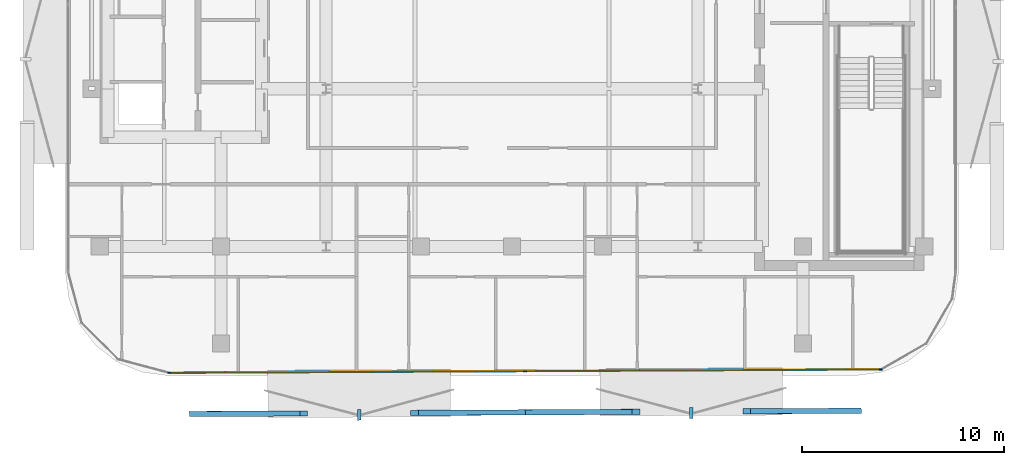
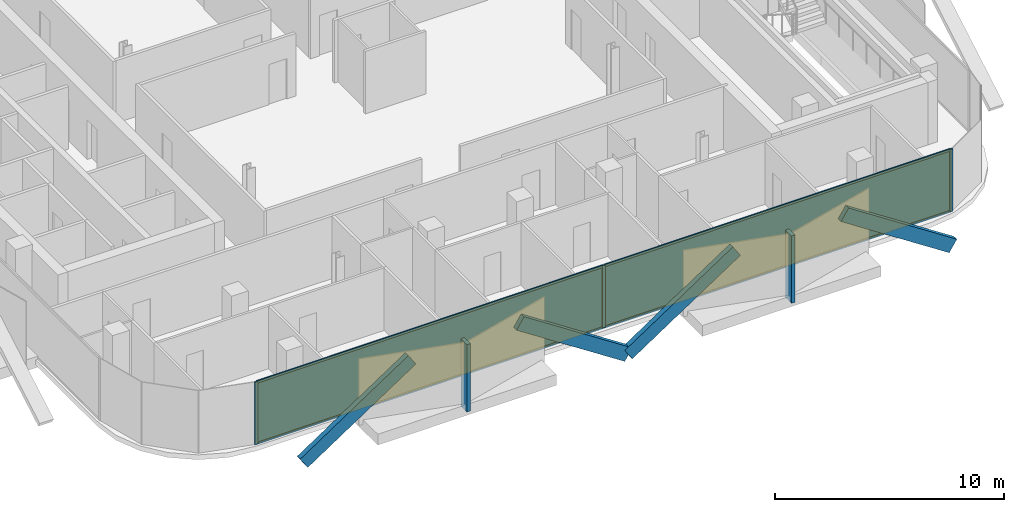
# One storey, part 8 of 15: 13 members, 2 plates, 1 curtain wall.
"""IFC4 building model written with IfcOpenShell, lengths in metres."""

import ifcopenshell
import ifcopenshell.guid

model = None  # the IFC model being written
_history = None  # IfcOwnerHistory: only IFC2X3 demands one
_inside = {}  # id of a spatial element -> (the spatial element, [elements in it])
_under = {}  # id of a project, library or spatial element -> (it, [spatial elements below it])
_declared = {}  # id of a project -> (the project, [libraries it declares])
_typed = {}  # id of a type object -> (the type object, [elements of that type])
_made_of = {}  # id of a material, layer set ... -> (it, [elements and type objects made of it])


def new_model(schema):
    """Start an empty IFC model of exactly this schema.

    Asked for "IFC4X3", IfcOpenShell would pick the latest addendum, in which some entities
    have other attributes; the version numbers below select the first issue.
    IFC2X3 requires an IfcOwnerHistory on every rooted entity: one is made here for all.
    """
    global model, _history
    if schema == "IFC4X3":
        model = ifcopenshell.file(schema_version=(4, 3, 0, 0))
    else:
        model = ifcopenshell.file(schema=schema)
    _inside.clear()
    _under.clear()
    _declared.clear()
    _typed.clear()
    _made_of.clear()
    _history = None
    if model.schema == "IFC2X3":
        org = make("IfcOrganization", Name="unknown")
        user = make(
            "IfcPersonAndOrganization",
            ThePerson=make("IfcPerson", FamilyName="unknown"),
            TheOrganization=org,
        )
        app = make(
            "IfcApplication",
            ApplicationDeveloper=org,
            Version="unknown",
            ApplicationFullName="unknown",
            ApplicationIdentifier="unknown",
        )
        _history = make(
            "IfcOwnerHistory",
            OwningUser=user,
            OwningApplication=app,
            ChangeAction="ADDED",
            CreationDate=0,
        )
    return model


def make(cls, **values):
    """One entity of the class cls with the attributes given. An attribute that is None is left unset."""
    return model.create_entity(
        cls, **{name: value for name, value in values.items() if value is not None}
    )


def rooted(cls, **values):
    """An entity with a GlobalId (a new one), such as an element, a storey or a relation."""
    return make(cls, GlobalId=ifcopenshell.guid.new(), OwnerHistory=_history, **values)


def si_unit(unit_type, name, prefix=None):
    """IfcSIUnit, for example si_unit("LENGTHUNIT", "METRE", prefix="MILLI")."""
    return make("IfcSIUnit", UnitType=unit_type, Prefix=prefix, Name=name)


def assignment(units):
    """IfcUnitAssignment: the units of a project."""
    return None if units is None else make("IfcUnitAssignment", Units=units)


def point(xyz):
    """IfcCartesianPoint."""
    return None if xyz is None else make("IfcCartesianPoint", Coordinates=xyz)


def direction(xyz):
    """IfcDirection."""
    return None if xyz is None else make("IfcDirection", DirectionRatios=xyz)


def frame(location, z_axis=None, x_axis=None):
    """IfcAxis2Placement3D, a coordinate frame: its origin and axes. An axis left out is left unset."""
    return make(
        "IfcAxis2Placement3D",
        Location=point(location),
        Axis=direction(z_axis),
        RefDirection=direction(x_axis),
    )


def frame_2d(location, x_axis=None):
    """IfcAxis2Placement2D, a coordinate frame in the plane: its origin and x axis."""
    return make(
        "IfcAxis2Placement2D", Location=point(location), RefDirection=direction(x_axis)
    )


def origin():
    """The frame at (0, 0, 0) with its axes left unset."""
    return frame((0.0, 0.0, 0.0))


def origin_2d():
    """The frame at (0, 0) in the plane with its x axis left unset."""
    return frame_2d((0.0, 0.0))


def place(relative_to, where):
    """IfcLocalPlacement: puts the frame where relative to a parent placement (None: the world)."""
    return make(
        "IfcLocalPlacement", PlacementRelTo=relative_to, RelativePlacement=where
    )


def context(
    kind, dimensions, precision=None, world=None, true_north=None, identifier=None
):
    """IfcGeometricRepresentationContext, for example the 3D "Model" context."""
    return make(
        "IfcGeometricRepresentationContext",
        ContextIdentifier=identifier,
        ContextType=kind,
        CoordinateSpaceDimension=dimensions,
        Precision=precision,
        WorldCoordinateSystem=world,
        TrueNorth=true_north,
    )


def subcontext(parent, identifier, kind, view, scale=None):
    """IfcGeometricRepresentationSubContext, for example "Body" below "Model"."""
    return make(
        "IfcGeometricRepresentationSubContext",
        ContextIdentifier=identifier,
        ContextType=kind,
        ParentContext=parent,
        TargetScale=scale,
        TargetView=view,
    )


def project(units=None, contexts=None):
    """IfcProject with its units and contexts."""
    return rooted(
        "IfcProject",
        Name="project",
        RepresentationContexts=contexts,
        UnitsInContext=assignment(units),
    )


def spatial(cls, under=None, at=None, **own):
    """A site, building, storey or space (cls), placed at a placement, below another one or the project."""
    s = rooted(cls, ObjectPlacement=at, **own)
    if under is not None:
        _under.setdefault(under.id(), (under, []))[1].append(s)
    return s


def profile(cls, at=None, kind="AREA", **sizes):
    """A parametric profile (cls). Its sizes go by their IFC names, for example OverallWidth=200.0."""
    return make(cls, ProfileType=kind, Position=at, **sizes)


def rectangle(**sizes):
    """IfcRectangleProfileDef."""
    return profile("IfcRectangleProfileDef", **sizes)


def extrude(swept, where, along, depth):
    """IfcExtrudedAreaSolid: the profile swept, set in the frame where, extruded along a direction by depth."""
    return make(
        "IfcExtrudedAreaSolid",
        SweptArea=swept,
        Position=where,
        ExtrudedDirection=direction(along),
        Depth=depth,
    )


def shape(context_of_items, identifier, shape_type, items):
    """IfcShapeRepresentation: the items that make up one representation, for example the "Body"."""
    return make(
        "IfcShapeRepresentation",
        ContextOfItems=context_of_items,
        RepresentationIdentifier=identifier,
        RepresentationType=shape_type,
        Items=items,
    )


def material(Name=None, Category=None):
    """IfcMaterial."""
    return make("IfcMaterial", Name=Name, Category=Category)


def layer(
    of_material, thickness, ventilated=None, Name=None, Category=None, Priority=None
):
    """IfcMaterialLayer: one layer of a wall or slab, of a material (None: an air gap)."""
    return make(
        "IfcMaterialLayer",
        Material=of_material,
        LayerThickness=thickness,
        IsVentilated=ventilated,
        Name=Name,
        Category=Category,
        Priority=Priority,
    )


def layer_set(layers, Name=None):
    """IfcMaterialLayerSet."""
    return make("IfcMaterialLayerSet", MaterialLayers=layers, LayerSetName=Name)


def material_profile(
    of_material, cross_section, Name=None, Category=None, Priority=None
):
    """IfcMaterialProfile: a cross section and its material."""
    return make(
        "IfcMaterialProfile",
        Name=Name,
        Material=of_material,
        Profile=cross_section,
        Priority=Priority,
        Category=Category,
    )


def profile_set(profiles, Name=None, composite=None):
    """IfcMaterialProfileSet."""
    return make(
        "IfcMaterialProfileSet",
        Name=Name,
        MaterialProfiles=profiles,
        CompositeProfile=composite,
    )


def made_of(thing, what):
    """Note that an element or type object is made of a material, layer set ...; save() writes the relation."""
    if what is not None:
        _made_of.setdefault(what.id(), (what, []))[1].append(thing)
    return thing


def type_object(cls, material=None, **own):
    """A type object (cls), such as IfcWallType, which elements share."""
    return made_of(rooted(cls, **own), material)


def element(
    cls,
    number,
    at=None,
    inside=None,
    cuts=None,
    type_object=None,
    material=None,
    context=None,
    identifier="Body",
    shape_type=None,
    held_by="IfcProductDefinitionShape",
    body=None,
    shapes=None,
    **own,
):
    """One element of the class cls, such as IfcWall. Its Tag is "e" and its number.

    at: its placement. inside: the storey or other place that contains it. cuts: it is an
    opening in that element (IfcRelVoidsElement). A single representation is given by context,
    identifier, shape_type and body (its items); several are given by shapes. held_by: the class
    of the entity that holds the representations. save() writes the other relations.
    """
    e = rooted(cls, Tag="e%d" % number, ObjectPlacement=at, **own)
    if body is not None:
        shapes = [shape(context, identifier, shape_type, body)]
    if shapes is not None:
        e.Representation = make(held_by, Representations=shapes)
    if inside is not None:
        _inside.setdefault(inside.id(), (inside, []))[1].append(e)
    if cuts is not None:
        rooted(
            "IfcRelVoidsElement", RelatingBuildingElement=cuts, RelatedOpeningElement=e
        )
    if type_object is not None:
        _typed.setdefault(type_object.id(), (type_object, []))[1].append(e)
    return made_of(e, material)


def aggregate(whole, parts):
    """IfcRelAggregates: a whole, such as a stair, and the parts it consists of."""
    return rooted("IfcRelAggregates", RelatingObject=whole, RelatedObjects=parts)


def save(model, path):
    """Write the relations noted so far, then the file.

    IfcRelAggregates (storeys below a building ...), IfcRelContainedInSpatialStructure (elements
    in a storey), IfcRelDefinesByType, IfcRelAssociatesMaterial and IfcRelDeclares: one each for
    every whole, place, type object, material and project.
    """
    for whole, parts in _under.values():
        aggregate(whole, parts)
    for where, things in _inside.values():
        rooted(
            "IfcRelContainedInSpatialStructure",
            RelatedElements=things,
            RelatingStructure=where,
        )
    for kind, things in _typed.values():
        rooted("IfcRelDefinesByType", RelatedObjects=things, RelatingType=kind)
    for what, things in _made_of.values():
        rooted("IfcRelAssociatesMaterial", RelatedObjects=things, RelatingMaterial=what)
    for by, libraries in _declared.values():
        rooted("IfcRelDeclares", RelatingContext=by, RelatedDefinitions=libraries)
    model.write(path)


model = new_model("IFC4")

# Units and contexts
model_context = context("Model", 3, precision=1e-05, world=origin(), true_north=direction((0.0, 1.0)))
body_context = subcontext(model_context, "Body", "Model", "MODEL_VIEW")
ifc_project = project(units=[si_unit("LENGTHUNIT", "METRE"), si_unit("AREAUNIT", "SQUARE_METRE"), si_unit("VOLUMEUNIT", "CUBIC_METRE"), si_unit("PLANEANGLEUNIT", "RADIAN"), si_unit("MASSUNIT", "GRAM", prefix="KILO")], contexts=[model_context])

# Member
ifc_material_1 = material(Name="Anodised Bronze Aluminium 6063-T6", Category="aluminium")
ifc_material_profile_1 = material_profile(ifc_material_1, rectangle(XDim=0.260009765625, YDim=0.699951171875, at=origin_2d()))
ifc_profile_set_1 = profile_set([ifc_material_profile_1], Name="Anodised Bronze Aluminium 6063-T6")
member_type_1 = type_object("IfcMemberType", Name="Bronze Diamond Solar-Screen Lattice Rib BDL-700", PredefinedType="MULLION", material=ifc_profile_set_1)
site_placement = place(None, origin())
building_placement = place(site_placement, origin())
storey_placement = place(building_placement, frame((0.0, 0.0, 244.0)))
member_1_placement = place(storey_placement, frame((17.093505859375, -26.735595703125, -0.1298828125), z_axis=(-0.835754384021, -0.004021809628, 0.549088731114), x_axis=(-0.007495389703, 0.99996356816, -0.00408429744)))
member_1 = element("IfcMember", 1, at=member_1_placement, type_object=member_type_1, Name="L57 Bronze Diamond Solar Screen Lattice Rib 385A", PredefinedType="MULLION", context=body_context, shape_type="SweptSolid", body=[
    extrude(rectangle(XDim=0.260009765625, YDim=0.699951171875, at=origin_2d()), origin(), (0.0, 0.0, 1.0), 6.55615234375),
])

member_2_placement = place(storey_placement, frame((0.65625, -26.81494140625, -0.1298828125), z_axis=(0.835743029646, 0.004059174326, 0.549105737997), x_axis=(0.007540243864, -0.999963231165, -0.004084242836)))
member_2 = element("IfcMember", 2, at=member_2_placement, type_object=member_type_1, Name="L57 Bronze Diamond Solar Screen Lattice Rib 385B", PredefinedType="MULLION", context=body_context, shape_type="SweptSolid", body=[
    extrude(rectangle(XDim=0.260009765625, YDim=0.699951171875, at=origin_2d()), origin(), (0.0, 0.0, 1.0), 6.555908203125),
])

member_3_placement = place(storey_placement, frame((0.65625, -26.81494140625, -0.1298828125), z_axis=(-0.835754384021, -0.004021809628, 0.549088731114), x_axis=(-0.007495389703, 0.99996356816, -0.00408429744)))
member_3 = element("IfcMember", 3, at=member_3_placement, type_object=member_type_1, Name="L57 Bronze Diamond Solar Screen Lattice Rib 386A", PredefinedType="MULLION", context=body_context, shape_type="SweptSolid", body=[
    extrude(rectangle(XDim=0.260009765625, YDim=0.699951171875, at=origin_2d()), origin(), (0.0, 0.0, 1.0), 6.55615234375),
])

member_4_placement = place(storey_placement, frame((-15.781005859375, -26.894287109375, -0.1298828125), z_axis=(0.835743029646, 0.004059174326, 0.549105737997), x_axis=(0.007540243864, -0.999963231165, -0.004084242836)))
member_4 = element("IfcMember", 4, at=member_4_placement, type_object=member_type_1, Name="L57 Bronze Diamond Solar Screen Lattice Rib 386B", PredefinedType="MULLION", context=body_context, shape_type="SweptSolid", body=[
    extrude(rectangle(XDim=0.260009765625, YDim=0.699951171875, at=origin_2d()), origin(), (0.0, 0.0, 1.0), 6.555908203125),
])

ifc_material_2 = material(Name="Anodised Bronze Aluminium 6063-T6", Category="aluminium")
ifc_material_profile_2 = material_profile(ifc_material_2, rectangle(XDim=0.179931640625, YDim=0.5400390625, at=origin_2d()))
ifc_profile_set_2 = profile_set([ifc_material_profile_2], Name="Anodised Bronze Aluminium 6063-T6")
member_type_2 = type_object("IfcMemberType", Name="Bronze Solar-Screen Vertical Fold Fin BSF-540", PredefinedType="MULLION", material=ifc_profile_set_2)
member_5_placement = place(storey_placement, frame((8.875244140625, -26.855224609375, -0.1298828125), z_axis=(0.0, 0.0, 1.0), x_axis=(-0.999988059021, -0.004886902454, 0.0)))
member_5 = element("IfcMember", 5, at=member_5_placement, type_object=member_type_2, Name="L57 Bronze Solar Screen Vertical Fin 385", PredefinedType="MULLION", context=body_context, shape_type="SweptSolid", body=[
    extrude(rectangle(XDim=0.179931640625, YDim=0.5400390625, at=origin_2d()), origin(), (0.0, 0.0, 1.0), 3.599853515625),
])

member_6_placement = place(storey_placement, frame((-7.56201171875, -26.9345703125, -0.1298828125), z_axis=(0.0, 0.0, 1.0), x_axis=(-0.999988059021, -0.004886902454, 0.0)))
member_6 = element("IfcMember", 6, at=member_6_placement, type_object=member_type_2, Name="L57 Bronze Solar Screen Vertical Fin 386", PredefinedType="MULLION", context=body_context, shape_type="SweptSolid", body=[
    extrude(rectangle(XDim=0.179931640625, YDim=0.5400390625, at=origin_2d()), origin(), (0.0, 0.0, 1.0), 3.599853515625),
])

ifc_material_3 = material(Name="Anodised Bronze Aluminium 6063-T6", Category="aluminium")
ifc_material_profile_3 = material_profile(ifc_material_3, rectangle(XDim=0.06005859375, YDim=0.159912109375, at=origin_2d()))
ifc_profile_set_3 = profile_set([ifc_material_profile_3], Name="Anodised Bronze Aluminium 6063-T6")
member_type_3 = type_object("IfcMemberType", Name="CW-Z4 Mullion 60x160", PredefinedType="MULLION", material=ifc_profile_set_3)
member_7_placement = place(storey_placement, frame((18.25341796875, -24.68994140625, 0.0), z_axis=(0.0, 0.0, 1.0), x_axis=(0.004824986425, -0.999988359685, 0.0)))
member_7 = element("IfcMember", 7, at=member_7_placement, type_object=member_type_3, Name="CW-Z4 mullion 1", PredefinedType="MULLION", context=body_context, shape_type="SweptSolid", body=[
    extrude(rectangle(XDim=0.06005859375, YDim=0.159912109375, at=origin_2d()), origin(), (0.0, 0.0, 1.0), 3.340087890625),
])

member_8_placement = place(storey_placement, frame((0.646240234375, -24.77490234375, 0.0), z_axis=(0.0, 0.0, 1.0), x_axis=(0.004824986425, -0.999988359685, 0.0)))
member_8 = element("IfcMember", 8, at=member_8_placement, type_object=member_type_3, Name="CW-Z4 mullion 2", PredefinedType="MULLION", context=body_context, shape_type="SweptSolid", body=[
    extrude(rectangle(XDim=0.06005859375, YDim=0.159912109375, at=origin_2d()), origin(), (0.0, 0.0, 1.0), 3.340087890625),
])

member_9_placement = place(storey_placement, frame((-16.960693359375, -24.85986328125, 0.0), z_axis=(0.0, 0.0, 1.0), x_axis=(0.004824986425, -0.999988359685, 0.0)))
member_9 = element("IfcMember", 9, at=member_9_placement, type_object=member_type_3, Name="CW-Z4 mullion 3", PredefinedType="MULLION", context=body_context, shape_type="SweptSolid", body=[
    extrude(rectangle(XDim=0.06005859375, YDim=0.159912109375, at=origin_2d()), origin(), (0.0, 0.0, 1.0), 3.340087890625),
])

ifc_material_4 = material(Name="Anodised Bronze Aluminium 6063-T6", Category="aluminium")
ifc_material_profile_4 = material_profile(ifc_material_4, rectangle(XDim=0.06005859375, YDim=0.125, at=origin_2d()))
ifc_profile_set_4 = profile_set([ifc_material_profile_4], Name="Anodised Bronze Aluminium 6063-T6")
member_type_4 = type_object("IfcMemberType", Name="CW-Z4 Transom 60x125", PredefinedType="USERDEFINED", material=ifc_profile_set_4)
member_10_placement = place(storey_placement, frame((18.223388671875, -24.690185546875, 0.030029296875), z_axis=(-0.999988412677, -0.004813991218, 0.0), x_axis=(0.004813991218, -0.999988412677, 0.0)))
member_10 = element("IfcMember", 10, at=member_10_placement, type_object=member_type_4, Name="CW-Z4 transom 1.1", ObjectType="TRANSOM", PredefinedType="USERDEFINED", context=body_context, shape_type="SweptSolid", body=[
    extrude(rectangle(XDim=0.06005859375, YDim=0.125, at=origin_2d()), origin(), (0.0, 0.0, 1.0), 17.54736328125),
])

member_11_placement = place(storey_placement, frame((18.223388671875, -24.690185546875, 3.31005859375), z_axis=(-0.999988412677, -0.004813991218, 0.0), x_axis=(0.004813991218, -0.999988412677, 0.0)))
member_11 = element("IfcMember", 11, at=member_11_placement, type_object=member_type_4, Name="CW-Z4 transom 1.2", ObjectType="TRANSOM", PredefinedType="USERDEFINED", context=body_context, shape_type="SweptSolid", body=[
    extrude(rectangle(XDim=0.06005859375, YDim=0.125, at=origin_2d()), origin(), (0.0, 0.0, 1.0), 17.54736328125),
])

member_12_placement = place(storey_placement, frame((0.616455078125, -24.775146484375, 0.030029296875), z_axis=(-0.999988413, -0.004813924241, 0.0), x_axis=(0.004813924241, -0.999988413, 0.0)))
member_12 = element("IfcMember", 12, at=member_12_placement, type_object=member_type_4, Name="CW-Z4 transom 2.1", ObjectType="TRANSOM", PredefinedType="USERDEFINED", context=body_context, shape_type="SweptSolid", body=[
    extrude(rectangle(XDim=0.06005859375, YDim=0.125, at=origin_2d()), origin(), (0.0, 0.0, 1.0), 17.547607421875),
])

member_13_placement = place(storey_placement, frame((0.616455078125, -24.775146484375, 3.31005859375), z_axis=(-0.999988413, -0.004813924241, 0.0), x_axis=(0.004813924241, -0.999988413, 0.0)))
member_13 = element("IfcMember", 13, at=member_13_placement, type_object=member_type_4, Name="CW-Z4 transom 2.2", ObjectType="TRANSOM", PredefinedType="USERDEFINED", context=body_context, shape_type="SweptSolid", body=[
    extrude(rectangle(XDim=0.06005859375, YDim=0.125, at=origin_2d()), origin(), (0.0, 0.0, 1.0), 17.547607421875),
])

# Plate
ifc_material_5 = material(Name="Low-E Solar Control Laminated Glass", Category="glass")
ifc_layer_1 = layer(ifc_material_5, 0.030029296875, Name="Low-E Solar Control Laminated Glass")
ifc_layer_set_1 = layer_set([ifc_layer_1], Name="Low-E Solar Control Laminated Glass")
plate_type = type_object("IfcPlateType", Name="CW-Z4 Low-E Double Glazed Panel 30mm", PredefinedType="CURTAIN_PANEL", material=ifc_layer_set_1)
plate_1_placement = place(storey_placement, frame((9.449951171875, -24.732421875, 0.06005859375), z_axis=(0.0, 0.0, 1.0), x_axis=(-0.999988359685, -0.004824986425, 0.0)))
plate_1 = element("IfcPlate", 14, at=plate_1_placement, type_object=plate_type, Name="CW-Z4 panel 1.1", PredefinedType="CURTAIN_PANEL", context=body_context, shape_type="SweptSolid", body=[
    extrude(rectangle(XDim=17.54736328125, YDim=0.030029296875, at=origin_2d()), origin(), (0.0, 0.0, 1.0), 3.219970703125),
])

plate_2_placement = place(storey_placement, frame((-8.1572265625, -24.8173828125, 0.06005859375), z_axis=(0.0, 0.0, 1.0), x_axis=(-0.999988359685, -0.004824986425, 0.0)))
plate_2 = element("IfcPlate", 15, at=plate_2_placement, type_object=plate_type, Name="CW-Z4 panel 2.1", PredefinedType="CURTAIN_PANEL", context=body_context, shape_type="SweptSolid", body=[
    extrude(rectangle(XDim=17.54736328125, YDim=0.030029296875, at=origin_2d()), origin(), (0.0, 0.0, 1.0), 3.219970703125),
])

# Site, building, storey
site = spatial("IfcSite", under=ifc_project, at=site_placement, CompositionType="ELEMENT")
building = spatial("IfcBuilding", under=site, at=building_placement, Name="Khairoan Windgate Tower", CompositionType="ELEMENT")
storey = spatial("IfcBuildingStorey", under=building, at=storey_placement, Name="L57", CompositionType="ELEMENT", Elevation=244.0)

# Curtain wall
ifc_material_6 = material(Name="Anodised Bronze Aluminium 6063-T6", Category="aluminium")
ifc_layer_2 = layer(ifc_material_6, 0.159912109375, Name="Anodised Bronze Aluminium 6063-T6")
ifc_layer_set_2 = layer_set([ifc_layer_2], Name="Anodised Bronze Aluminium 6063-T6")
curtain_wall_type = type_object("IfcCurtainWallType", Name="Sky Residence Unitised Curtain Wall CW-Z4", PredefinedType="NOTDEFINED", material=ifc_layer_set_2)
curtain_wall_placement = place(storey_placement, frame((18.283447265625, -24.689697265625, 0.0), z_axis=(0.0, 0.0, 1.0), x_axis=(-0.999988330836, -0.004830961808, 0.0)))
curtain_wall = element("IfcCurtainWall", 16, at=curtain_wall_placement, inside=storey, type_object=curtain_wall_type, Name="L57 Unitised Curtain Wall 1", PredefinedType="NOTDEFINED", context=body_context, shape_type="SweptSolid", body=[
    extrude(rectangle(XDim=35.274658203125, YDim=0.010009765625, at=frame_2d((17.63720703125, 0.0))), origin(), (0.0, 0.0, 1.0), 3.340087890625),
])

aggregate(curtain_wall, [member_7, member_8, member_9, member_10, member_11, plate_1, member_12, member_13, plate_2, member_1, member_2, member_5, member_3, member_4, member_6])

save(model, "model.ifc")
